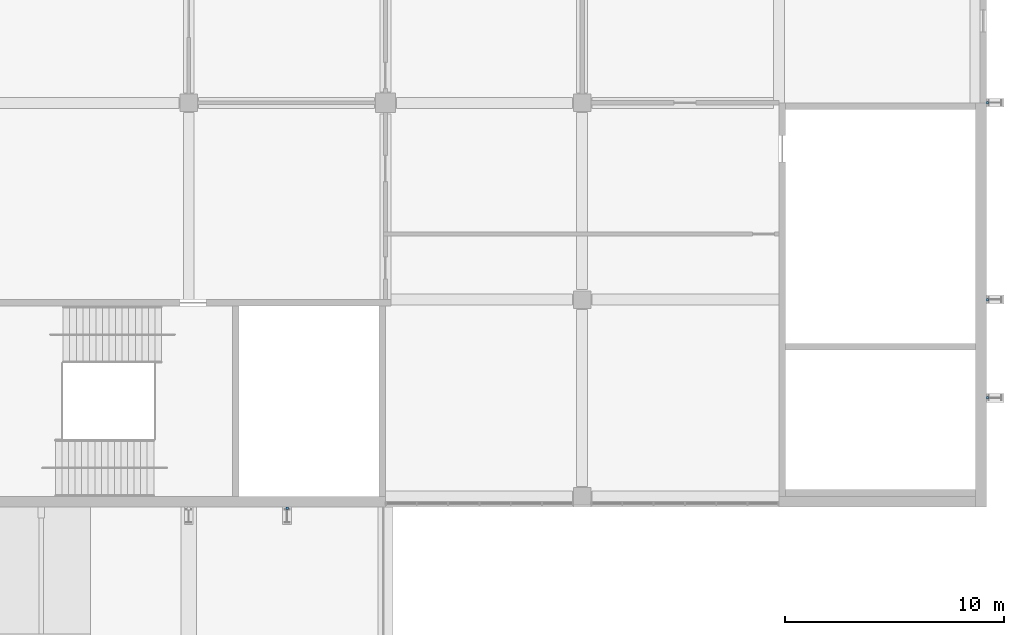
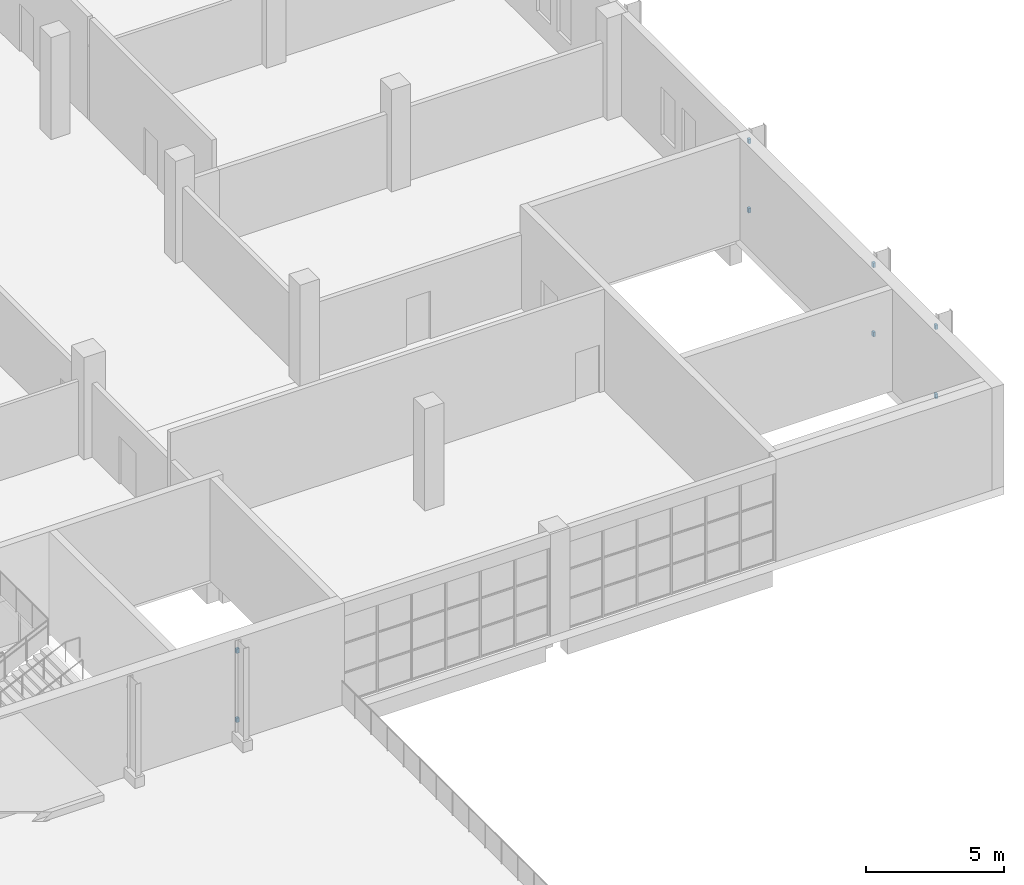
# One storey, part 128 of 168: 8 discrete accessories.
"""IFC4 building model written with IfcOpenShell, lengths in metres."""

from ifc_helpers import new_model, si_unit, direction, frame, origin, origin_2d, place, context, subcontext, project, spatial, rectangle, extrude, material, type_object, element, save


model = new_model("IFC4")

# Units and contexts
model_context = context("Model", 3, precision=1e-05, world=origin(), true_north=direction((0.0, 1.0)))
body_context = subcontext(model_context, "Body", "Model", "MODEL_VIEW")
ifc_project = project(units=[si_unit("LENGTHUNIT", "METRE"), si_unit("AREAUNIT", "SQUARE_METRE"), si_unit("VOLUMEUNIT", "CUBIC_METRE"), si_unit("PLANEANGLEUNIT", "RADIAN"), si_unit("MASSUNIT", "GRAM", prefix="KILO")], contexts=[model_context])

# Site, building, storey
site_placement = place(None, origin())
site = spatial("IfcSite", under=ifc_project, at=site_placement, CompositionType="ELEMENT")
building_placement = place(site_placement, origin())
building = spatial("IfcBuilding", under=site, at=building_placement, Name="Silverbay Arena", CompositionType="ELEMENT")
storey_placement = place(building_placement, frame((0.0, 0.0, 7.0)))
storey = spatial("IfcBuildingStorey", under=building, at=storey_placement, Name="L01", CompositionType="ELEMENT", Elevation=7.0)

# Discrete accessories
ifc_material = material(Name="Steel S355", Category="steel")
discrete_accessory_type = type_object("IfcDiscreteAccessoryType", Name="Steel bracket plate", PredefinedType="BRACKET", material=ifc_material)
for number, where, z_axis, x_axis, name in (
    (1, (202.5, 17.449951171875, 0.85009765625), (0.0, 0.0, 1.0), (1.0, 0.0, 0.0), "Fin bracket"),
    (2, (202.5, 17.449951171875, 3.89990234375), (0.0, 0.0, 1.0), (1.0, 0.0, 0.0), "Fin bracket"),
):
    element("IfcDiscreteAccessory", number, at=place(storey_placement, frame(where, z_axis=z_axis, x_axis=x_axis)), inside=storey, type_object=discrete_accessory_type, Name=name, PredefinedType="BRACKET", context=body_context, shape_type="SweptSolid", body=[
        extrude(rectangle(XDim=0.1201171875, YDim=0.10009765625, at=origin_2d()), origin(), (0.0, 0.0, 1.0), 0.199951171875),
    ])
for number, where, z_axis, x_axis, name in (
    (3, (234.550048828125, 22.5, 0.85009765625), (0.0, 0.0, 1.0), (1.0, 0.0, 0.0), "Fin bracket"),
    (4, (234.550048828125, 22.5, 3.89990234375), (0.0, 0.0, 1.0), (1.0, 0.0, 0.0), "Fin bracket"),
    (5, (234.550048828125, 27.0, 0.85009765625), (0.0, 0.0, 1.0), (1.0, 0.0, 0.0), "Fin bracket"),
    (6, (234.550048828125, 27.0, 3.89990234375), (0.0, 0.0, 1.0), (1.0, 0.0, 0.0), "Fin bracket"),
    (7, (234.550048828125, 36.0, 0.85009765625), (0.0, 0.0, 1.0), (1.0, 0.0, 0.0), "Fin bracket"),
    (8, (234.550048828125, 36.0, 3.89990234375), (0.0, 0.0, 1.0), (1.0, 0.0, 0.0), "Fin bracket"),
):
    element("IfcDiscreteAccessory", number, at=place(storey_placement, frame(where, z_axis=z_axis, x_axis=x_axis)), inside=storey, type_object=discrete_accessory_type, Name=name, PredefinedType="BRACKET", context=body_context, shape_type="SweptSolid", body=[
        extrude(rectangle(XDim=0.10009765625, YDim=0.1201171875, at=origin_2d()), origin(), (0.0, 0.0, 1.0), 0.199951171875),
    ])

save(model, "model.ifc")
